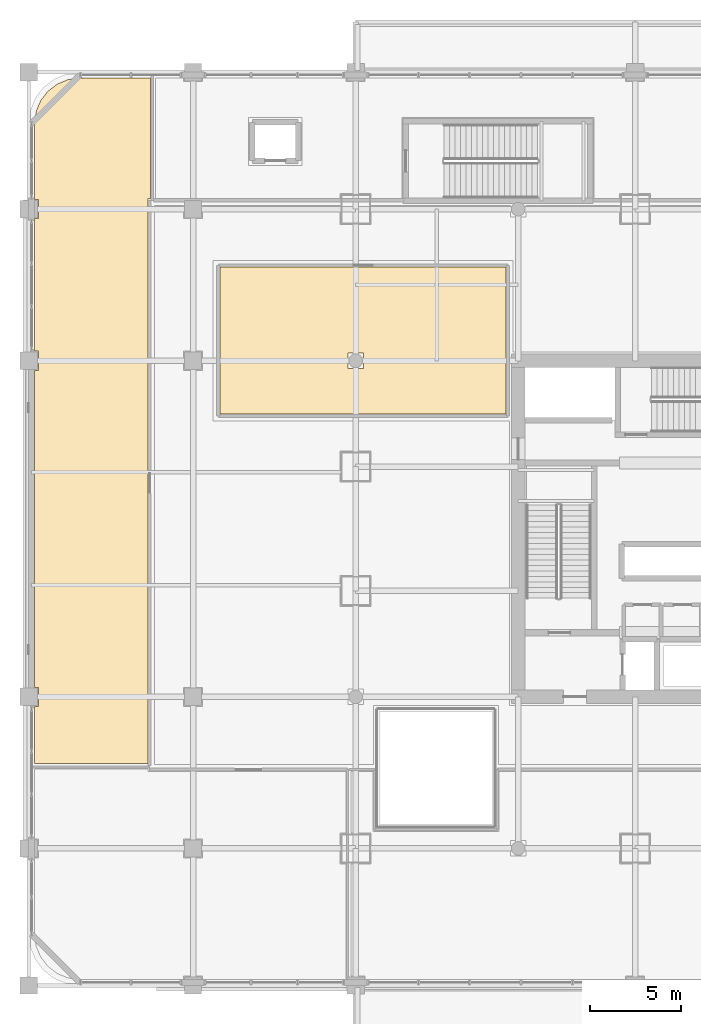
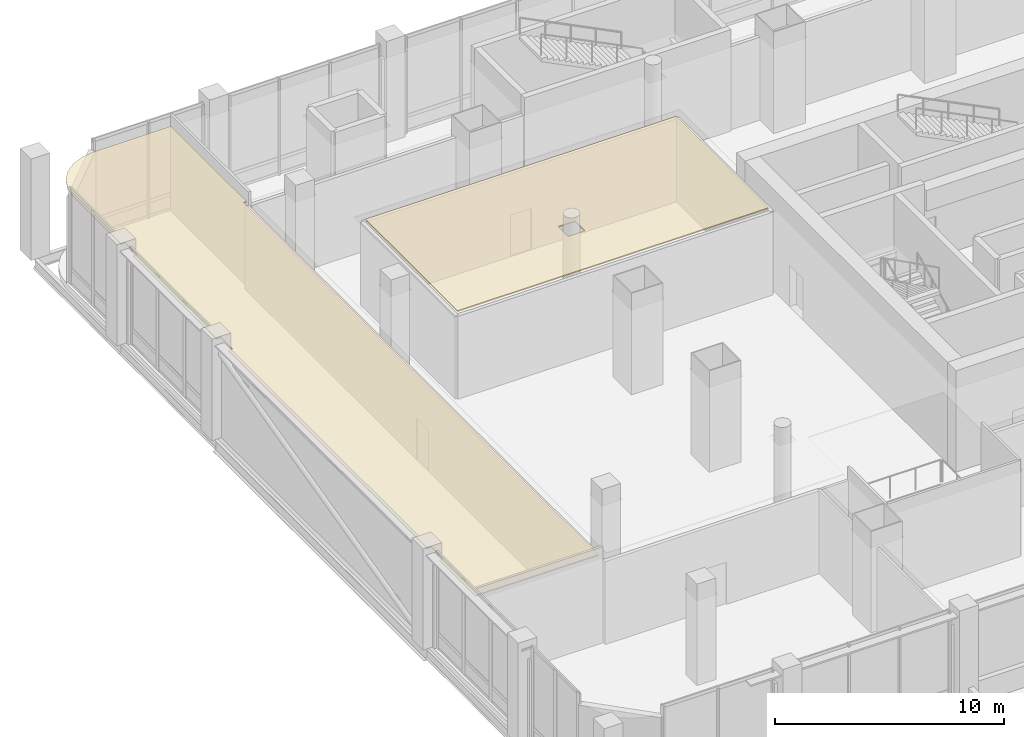
# One storey, part 39 of 43: 2 coverings.
"""IFC4 building model written with IfcOpenShell, lengths in metres."""

from ifc_helpers import new_model, si_unit, direction, frame, origin, place, context, subcontext, project, spatial, polyline, outline, extrude, material, layer, layer_set, type_object, element, save


model = new_model("IFC4")

# Units and contexts
model_context = context("Model", 3, precision=1e-05, world=origin(), true_north=direction((0.0, 1.0)))
body_context = subcontext(model_context, "Body", "Model", "MODEL_VIEW")
ifc_project = project(units=[si_unit("LENGTHUNIT", "METRE"), si_unit("AREAUNIT", "SQUARE_METRE"), si_unit("VOLUMEUNIT", "CUBIC_METRE"), si_unit("PLANEANGLEUNIT", "RADIAN"), si_unit("MASSUNIT", "GRAM", prefix="KILO")], contexts=[model_context])

# Site, building, storey
site_placement = place(None, origin())
site = spatial("IfcSite", under=ifc_project, at=site_placement, CompositionType="ELEMENT")
building_placement = place(site_placement, origin())
building = spatial("IfcBuilding", under=site, at=building_placement, Name="Punatoya Terracotta Tower", CompositionType="ELEMENT")
storey_placement = place(building_placement, frame((0.0, 0.0, 6.0)))
storey = spatial("IfcBuildingStorey", under=building, at=storey_placement, Name="L01", CompositionType="ELEMENT", Elevation=6.0)

# Coverings
ifc_material = material(Name="Acoustic Mineral Fibre Ceiling")
ifc_layer = layer(ifc_material, 0.06005859375)
ifc_layer_set = layer_set([ifc_layer], Name="Acoustic Mineral Fibre Ceiling")
covering_type = type_object("IfcCoveringType", Name="COV-CEIL-60", PredefinedType="CEILING", material=ifc_layer_set)
covering_1_placement = place(storey_placement, frame((0.0, 0.0, 4.510009765625)))
element("IfcCovering", 1, at=covering_1_placement, inside=storey, type_object=covering_type, Name="L01 West Corporate Training Centre Acoustic Ceiling", PredefinedType="CEILING", context=body_context, shape_type="SweptSolid", body=[
    extrude(outline(polyline([(-35.438720703125, 24.345458984375), (-35.95166015625, 23.95166015625), (-36.345458984375, 23.438720703125), (-36.5927734375, 22.84130859375), (-36.679931640625, 22.178955078125), (-36.679931640625, 18.02490234375), (-36.47509765625, 18.02490234375), (-36.47509765625, 16.97509765625), (-36.679931640625, 16.97509765625), (-36.679931640625, 9.72509765625), (-36.47509765625, 9.72509765625), (-36.47509765625, 8.675048828125), (-36.679931640625, 8.675048828125), (-36.679931640625, -8.675048828125), (-36.47509765625, -8.675048828125), (-36.47509765625, -9.72509765625), (-36.679931640625, -9.72509765625), (-36.679931640625, -12.860107421875), (-30.47998046875, -12.860107421875), (-30.47998046875, 18.080078125), (-30.340087890625, 18.080078125), (-30.340087890625, 24.679931640625), (-34.178955078125, 24.679931640625), (-34.84130859375, 24.5927734375), (-35.438720703125, 24.345458984375)])), origin(), (0.0, 0.0, 1.0), 0.06005859375),
])
covering_2_placement = place(storey_placement, frame((0.0, 0.0, 4.510009765625)))
element("IfcCovering", 2, at=covering_2_placement, inside=storey, type_object=covering_type, Name="L01 Business Delegate Tea Pantry Acoustic Ceiling", PredefinedType="CEILING", context=body_context, shape_type="SweptSolid", body=[
    extrude(outline(polyline([(-26.52001953125, 14.320068359375), (-26.52001953125, 6.280029296875), (-10.860107421875, 6.280029296875), (-10.860107421875, 14.320068359375), (-26.52001953125, 14.320068359375)]), holes=[polyline([(-18.675048828125, 9.625), (-18.675048828125, 8.77490234375), (-19.52490234375, 8.77490234375), (-19.52490234375, 9.625), (-18.675048828125, 9.625)])]), origin(), (0.0, 0.0, 1.0), 0.06005859375),
])

save(model, "model.ifc")
